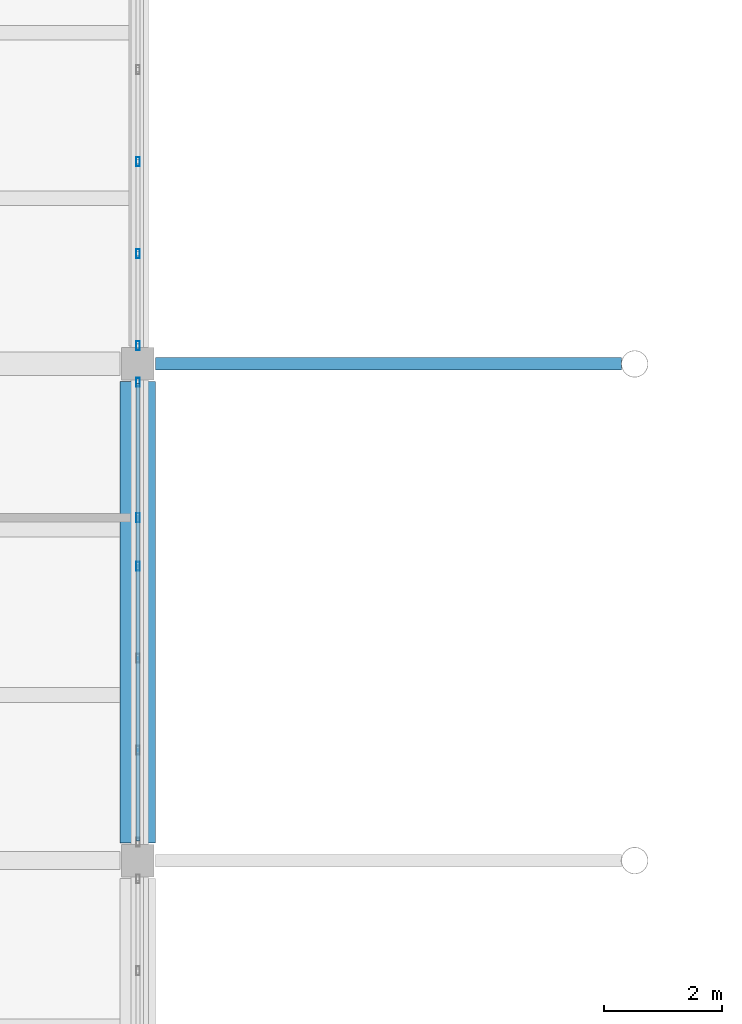
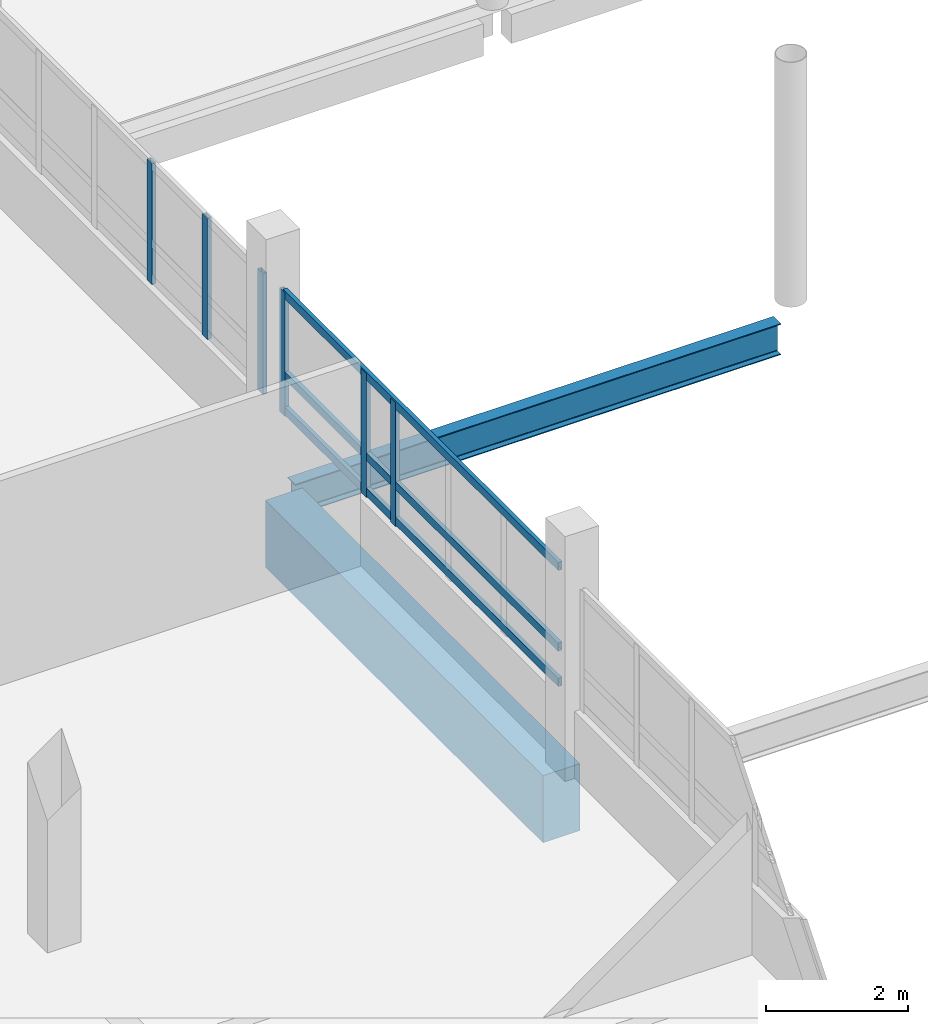
# One storey, part 62 of 130: 9 members, 2 beams, 2 elements without a shape of their own.
"""IFC4 building model written with IfcOpenShell, lengths in metres."""

from ifc_helpers import new_model, si_unit, direction, frame, origin, origin_2d, place, context, subcontext, project, spatial, rectangle, hollow_rectangle, i_section, extrude, material, layer, layer_set, material_profile, profile_set, type_object, element, aggregate, save


model = new_model("IFC4")

# Units and contexts
model_context = context("Model", 3, precision=1e-05, world=origin(), true_north=direction((0.0, 1.0)))
body_context = subcontext(model_context, "Body", "Model", "MODEL_VIEW")
ifc_project = project(units=[si_unit("LENGTHUNIT", "METRE"), si_unit("AREAUNIT", "SQUARE_METRE"), si_unit("VOLUMEUNIT", "CUBIC_METRE"), si_unit("PLANEANGLEUNIT", "RADIAN"), si_unit("MASSUNIT", "GRAM", prefix="KILO")], contexts=[model_context])

# Site, building, storey
site_placement = place(None, origin())
site = spatial("IfcSite", under=ifc_project, at=site_placement, CompositionType="ELEMENT")
building_placement = place(site_placement, origin())
building = spatial("IfcBuilding", under=site, at=building_placement, Name="Vireocrest Preparatory School", CompositionType="ELEMENT")
storey_placement = place(building_placement, frame((0.0, 0.0, 9.0)))
storey = spatial("IfcBuildingStorey", under=building, at=storey_placement, Name="L02", CompositionType="ELEMENT", Elevation=9.0)

# Curtain wall, members
ifc_material_1 = material(Name="Thermally broken aluminium EN AW-6063-T6", Category="aluminium")
ifc_layer = layer(ifc_material_1, 0.179931640625)
ifc_layer_set = layer_set([ifc_layer], Name="Thermally broken aluminium EN AW-6063-T6")
curtain_wall_type = type_object("IfcCurtainWallType", Name="Court Banded Curtain Wall 8400x3000", PredefinedType="USERDEFINED", material=ifc_layer_set)
curtain_wall_1_placement = place(storey_placement, origin())
curtain_wall_1 = element("IfcCurtainWall", 1, at=curtain_wall_1_placement, inside=storey, type_object=curtain_wall_type, Name="Curtain Wall CW02 CW_L02_CW02_0672_0692_102", ObjectType="CURTAIN WALL", PredefinedType="USERDEFINED")
ifc_material_profile_1 = material_profile(ifc_material_1, hollow_rectangle(XDim=0.06494140625, YDim=0.14990234375, WallThickness=0.00390625, at=origin_2d()), Name="ALU 65x150x4")
ifc_profile_set_1 = profile_set([ifc_material_profile_1], Name="Thermally broken aluminium EN AW-6063-T6")
member_type_1 = type_object("IfcMemberType", Name="CW Mullion 65x150x4", PredefinedType="MULLION", material=ifc_profile_set_1)
member_1_placement = place(storey_placement, frame((67.199951171875, 73.97802734375, 1.14990234375), z_axis=(0.0, 0.0, 1.0), x_axis=(1.0, 0.0, 0.0)))
member_1 = element("IfcMember", 2, at=member_1_placement, type_object=member_type_1, Name="CW Mullion ML1 CW_L02_CW02_0672_0692_102-4", PredefinedType="MULLION", context=body_context, shape_type="SweptSolid", body=[
    extrude(hollow_rectangle(XDim=0.06494140625, YDim=0.14990234375, WallThickness=0.00390625, at=origin_2d()), origin(), (0.0, 0.0, 1.0), 2.125),
])
member_2_placement = place(storey_placement, frame((67.199951171875, 74.800048828125, 1.14990234375), z_axis=(0.0, 0.0, 1.0), x_axis=(1.0, 0.0, 0.0)))
member_2 = element("IfcMember", 3, at=member_2_placement, type_object=member_type_1, Name="CW Mullion ML1 CW_L02_CW02_0672_0692_102-5", PredefinedType="MULLION", context=body_context, shape_type="SweptSolid", body=[
    extrude(hollow_rectangle(XDim=0.06494140625, YDim=0.14990234375, WallThickness=0.00390625, at=origin_2d()), origin(), (0.0, 0.0, 1.0), 2.125),
])
member_3_placement = place(storey_placement, frame((67.199951171875, 77.090087890625, 1.14990234375), z_axis=(0.0, 0.0, 1.0), x_axis=(1.0, 0.0, 0.0)))
member_3 = element("IfcMember", 4, at=member_3_placement, type_object=member_type_1, Name="CW Mullion ML1 CW_L02_CW02_0672_0692_102-6", PredefinedType="MULLION", context=body_context, shape_type="SweptSolid", body=[
    extrude(hollow_rectangle(XDim=0.06494140625, YDim=0.14990234375, WallThickness=0.00390625, at=origin_2d()), origin(), (0.0, 0.0, 1.0), 2.125),
])

curtain_wall_2_placement = place(storey_placement, origin())
curtain_wall_2 = element("IfcCurtainWall", 5, at=curtain_wall_2_placement, inside=storey, type_object=curtain_wall_type, Name="Curtain Wall CW02 CW_L02_CW02_0672_0776_102", ObjectType="CURTAIN WALL", PredefinedType="USERDEFINED")
member_4_placement = place(storey_placement, frame((67.199951171875, 77.7099609375, 1.14990234375), z_axis=(0.0, 0.0, 1.0), x_axis=(1.0, 0.0, 0.0)))
member_4 = element("IfcMember", 6, at=member_4_placement, type_object=member_type_1, Name="CW Mullion ML1 CW_L02_CW02_0672_0776_102-1", PredefinedType="MULLION", context=body_context, shape_type="SweptSolid", body=[
    extrude(hollow_rectangle(XDim=0.06494140625, YDim=0.14990234375, WallThickness=0.00390625, at=origin_2d()), origin(), (0.0, 0.0, 1.0), 2.0751953125),
])
member_5_placement = place(storey_placement, frame((67.199951171875, 79.26611328125, 1.14990234375), z_axis=(0.0, 0.0, 1.0), x_axis=(1.0, 0.0, 0.0)))
member_5 = element("IfcMember", 7, at=member_5_placement, type_object=member_type_1, Name="CW Mullion ML1 CW_L02_CW02_0672_0776_102-2", PredefinedType="MULLION", context=body_context, shape_type="SweptSolid", body=[
    extrude(hollow_rectangle(XDim=0.06494140625, YDim=0.14990234375, WallThickness=0.00390625, at=origin_2d()), origin(), (0.0, 0.0, 1.0), 2.0751953125),
])
member_6_placement = place(storey_placement, frame((67.199951171875, 80.822021484375, 1.14990234375), z_axis=(0.0, 0.0, 1.0), x_axis=(1.0, 0.0, 0.0)))
member_6 = element("IfcMember", 8, at=member_6_placement, type_object=member_type_1, Name="CW Mullion ML1 CW_L02_CW02_0672_0776_102-3", PredefinedType="MULLION", context=body_context, shape_type="SweptSolid", body=[
    extrude(hollow_rectangle(XDim=0.06494140625, YDim=0.14990234375, WallThickness=0.00390625, at=origin_2d()), origin(), (0.0, 0.0, 1.0), 2.0751953125),
])
aggregate(curtain_wall_2, [member_4, member_5, member_6])

# Member
ifc_material_profile_2 = material_profile(ifc_material_1, hollow_rectangle(XDim=0.06494140625, YDim=0.139892578125, WallThickness=0.00390625, at=origin_2d()), Name="ALU 65x140x4")
ifc_profile_set_2 = profile_set([ifc_material_profile_2], Name="Thermally broken aluminium EN AW-6063-T6")
member_type_2 = type_object("IfcMemberType", Name="CW Transom 65x140x4", PredefinedType="USERDEFINED", material=ifc_profile_set_2)
member_7_placement = place(storey_placement, frame((67.199951171875, 69.3349609375, 1.2451171875), z_axis=(0.0, 1.0, 0.0), x_axis=(-1.0, 0.0, 0.0)))
member_7 = element("IfcMember", 9, at=member_7_placement, type_object=member_type_2, Name="CW Transom TR1 CW_L02_CW02_0672_0692_102-1", ObjectType="TRANSOM", PredefinedType="USERDEFINED", context=body_context, shape_type="SweptSolid", body=[
    extrude(hollow_rectangle(XDim=0.06494140625, YDim=0.139892578125, WallThickness=0.00390625, at=origin_2d()), origin(), (0.0, 0.0, 1.0), 7.72998046875),
])

member_8_placement = place(storey_placement, frame((67.199951171875, 69.3349609375, 1.85009765625), z_axis=(0.0, 1.0, 0.0), x_axis=(-1.0, 0.0, 0.0)))
member_8 = element("IfcMember", 10, at=member_8_placement, type_object=member_type_2, Name="CW Transom TR1 CW_L02_CW02_0672_0692_102-2", ObjectType="TRANSOM", PredefinedType="USERDEFINED", context=body_context, shape_type="SweptSolid", body=[
    extrude(hollow_rectangle(XDim=0.06494140625, YDim=0.139892578125, WallThickness=0.00390625, at=origin_2d()), origin(), (0.0, 0.0, 1.0), 7.72998046875),
])

member_9_placement = place(storey_placement, frame((67.199951171875, 69.3349609375, 3.235107421875), z_axis=(0.0, 1.0, 0.0), x_axis=(-1.0, 0.0, 0.0)))
member_9 = element("IfcMember", 11, at=member_9_placement, type_object=member_type_2, Name="CW Transom TR1 CW_L02_CW02_0672_0692_102-3", ObjectType="TRANSOM", PredefinedType="USERDEFINED", context=body_context, shape_type="SweptSolid", body=[
    extrude(hollow_rectangle(XDim=0.06494140625, YDim=0.139892578125, WallThickness=0.00390625, at=origin_2d()), origin(), (0.0, 0.0, 1.0), 7.72998046875),
])

aggregate(curtain_wall_1, [member_1, member_2, member_3, member_7, member_8, member_9])

# Beams
ifc_material_2 = material(Name="Structural steel ASTM A992 Grade 50", Category="steel")
ifc_material_profile_3 = material_profile(ifc_material_2, i_section(OverallWidth=0.208984375, OverallDepth=0.532958984375, WebThickness=0.01025390625, FlangeThickness=0.015625, FilletRadius=0.014892578125, at=origin_2d()), Name="W21X62")
ifc_profile_set_3 = profile_set([ifc_material_profile_3], Name="Structural steel ASTM A992 Grade 50")
beam_type_1 = type_object("IfcBeamType", Name="Court Tie Girder W21X62", PredefinedType="BEAM", material=ifc_profile_set_3)
beam_1_placement = place(storey_placement, frame((67.4951171875, 77.39990234375, -0.56640625), z_axis=(1.0, 0.0, 0.0), x_axis=(0.0, 1.0, 0.0)))
element("IfcBeam", 12, at=beam_1_placement, inside=storey, type_object=beam_type_1, Name="Court Trunk Lateral Tie Girder SB5 W7 L02", PredefinedType="BEAM", context=body_context, shape_type="SweptSolid", body=[
    extrude(i_section(OverallWidth=0.208984375, OverallDepth=0.532958984375, WebThickness=0.01025390625, FlangeThickness=0.015625, FilletRadius=0.014892578125, at=origin_2d()), origin(), (0.0, 0.0, 1.0), 7.88134765625),
])
ifc_material_3 = material(Name="Concrete 40 MPa", Category="concrete")
ifc_material_profile_4 = material_profile(ifc_material_3, rectangle(XDim=0.60009765625, YDim=1.14990234375, at=origin_2d()), Name="RC 600x1150")
ifc_profile_set_4 = profile_set([ifc_material_profile_4], Name="Concrete 40 MPa")
beam_type_2 = type_object("IfcBeamType", Name="RC Heavy Transfer Girder 600x1150", PredefinedType="BEAM", material=ifc_profile_set_4)
beam_2_placement = place(storey_placement, frame((67.199951171875, 69.300048828125, -0.81494140625), z_axis=(0.0, 1.0, 0.0), x_axis=(-1.0, 0.0, 0.0)))
element("IfcBeam", 13, at=beam_2_placement, inside=storey, type_object=beam_type_2, Name="Primary Girder B20 L02-0823", PredefinedType="BEAM", context=body_context, shape_type="SweptSolid", body=[
    extrude(rectangle(XDim=0.60009765625, YDim=1.14990234375, at=origin_2d()), origin(), (0.0, 0.0, 1.0), 7.800048828125),
])

save(model, "model.ifc")
